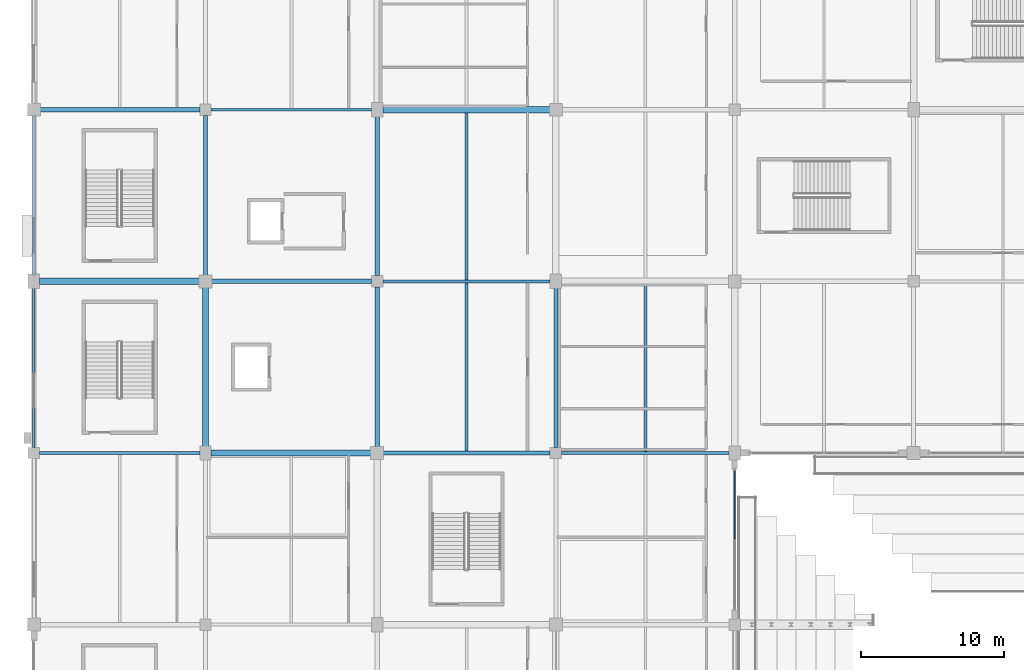
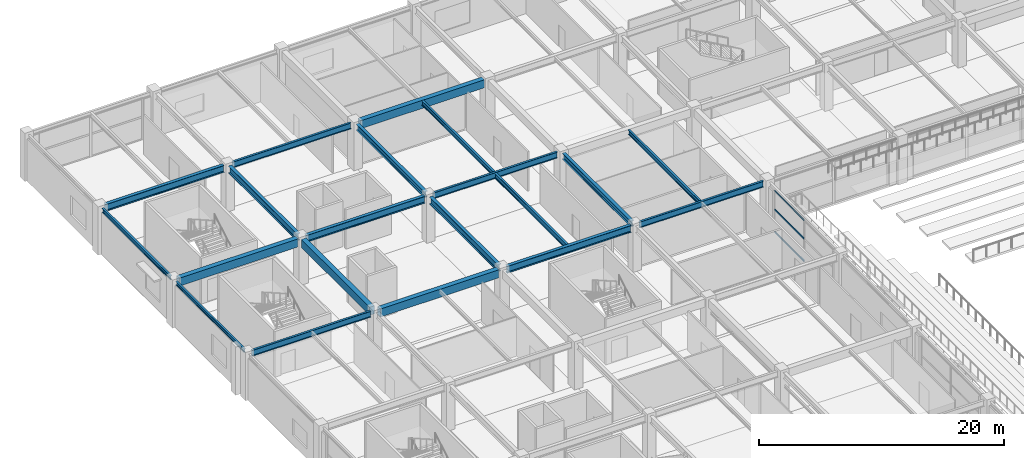
# One storey, part 51 of 134: 20 beams, 3 members, 1 element without a shape of its own.
"""IFC4 building model written with IfcOpenShell, lengths in metres."""

from ifc_helpers import new_model, si_unit, direction, frame, origin, origin_2d, place, context, subcontext, project, spatial, rectangle, i_section, extrude, material, layer, layer_set, material_profile, profile_set, type_object, element, aggregate, save


model = new_model("IFC4")

# Units and contexts
model_context = context("Model", 3, precision=1e-05, world=origin(), true_north=direction((0.0, 1.0)))
body_context = subcontext(model_context, "Body", "Model", "MODEL_VIEW")
ifc_project = project(units=[si_unit("LENGTHUNIT", "METRE"), si_unit("AREAUNIT", "SQUARE_METRE"), si_unit("VOLUMEUNIT", "CUBIC_METRE"), si_unit("PLANEANGLEUNIT", "RADIAN"), si_unit("MASSUNIT", "GRAM", prefix="KILO")], contexts=[model_context])

# Site, building, storey
site_placement = place(None, origin())
site = spatial("IfcSite", under=ifc_project, at=site_placement, CompositionType="ELEMENT")
building_placement = place(site_placement, origin())
building = spatial("IfcBuilding", under=site, at=building_placement, Name="Kazenohara Klinker Stadium", CompositionType="ELEMENT")
storey_placement = place(building_placement, frame((0.0, 0.0, 5.39990234375)))
storey = spatial("IfcBuildingStorey", under=building, at=storey_placement, Name="L01", CompositionType="ELEMENT", Elevation=5.39990234375)

# Beams
ifc_material_1 = material(Name="Steel S355", Category="steel")
ifc_material_profile_1 = material_profile(ifc_material_1, i_section(OverallWidth=0.199951171875, OverallDepth=0.5, WebThickness=0.010009765625, FlangeThickness=0.01611328125, FilletRadius=0.012939453125, at=origin_2d()), Name="H-500x200x10x16")
ifc_profile_set_1 = profile_set([ifc_material_profile_1], Name="Steel S355")
beam_type_1 = type_object("IfcBeamType", Name="BM-JST01", PredefinedType="JOIST", material=ifc_profile_set_1)
beam_1_placement = place(storey_placement, frame((30.25, 132.14990234375, 4.300048828125), z_axis=(0.0, 1.0, 0.0), x_axis=(-1.0, 0.0, 0.0)))
element("IfcBeam", 1, at=beam_1_placement, inside=storey, type_object=beam_type_1, Name="Secondary floor joist SJ01 L01 3/M", PredefinedType="JOIST", context=body_context, shape_type="SweptSolid", body=[
    extrude(i_section(OverallWidth=0.199951171875, OverallDepth=0.5, WebThickness=0.010009765625, FlangeThickness=0.01611328125, FilletRadius=0.012939453125, at=origin_2d()), origin(), (0.0, 0.0, 1.0), 11.75),
])
ifc_material_profile_2 = material_profile(ifc_material_1, i_section(OverallWidth=0.199951171875, OverallDepth=0.449951171875, WebThickness=0.009033203125, FlangeThickness=0.013916015625, FilletRadius=0.012939453125, at=origin_2d()), Name="H-450x200x9x14")
ifc_profile_set_2 = profile_set([ifc_material_profile_2], Name="Steel S355")
beam_type_2 = type_object("IfcBeamType", Name="BM-JST02", PredefinedType="JOIST", material=ifc_profile_set_2)
for number, where, z_axis, x_axis, name in (
    (2, (30.25, 144.10009765625, 4.3251953125), (0.0, 1.0, 0.0), (-1.0, 0.0, 0.0), "Secondary floor joist SJ02 L01 3/N"),
    (3, (42.75, 132.10009765625, 4.3251953125), (0.0, 1.0, 0.0), (-1.0, 0.0, 0.0), "Secondary floor joist SJ02 L01 4/M"),
):
    element("IfcBeam", number, at=place(storey_placement, frame(where, z_axis=z_axis, x_axis=x_axis)), inside=storey, type_object=beam_type_2, Name=name, PredefinedType="JOIST", context=body_context, shape_type="SweptSolid", body=[
        extrude(i_section(OverallWidth=0.199951171875, OverallDepth=0.449951171875, WebThickness=0.009033203125, FlangeThickness=0.013916015625, FilletRadius=0.012939453125, at=origin_2d()), origin(), (0.0, 0.0, 1.0), 11.6748046875),
    ])
ifc_material_2 = material(Name="Concrete C40/50", Category="concrete")
ifc_material_profile_3 = material_profile(ifc_material_2, rectangle(XDim=0.449951171875, YDim=0.800048828125, at=origin_2d()), Name="RC-BM-450x800")
ifc_profile_set_3 = profile_set([ifc_material_profile_3], Name="Concrete C40/50")
beam_type_3 = type_object("IfcBeamType", Name="BM-RC03", PredefinedType="BEAM", material=ifc_profile_set_3)
for number, where, z_axis, x_axis, name in (
    (4, (0.39990234375, 144.0, 4.150146484375), (1.0, 0.0, 0.0), (0.0, 1.0, 0.0), "Primary girder BG03 L01 1-2/N"),
    (5, (12.39990234375, 132.0, 4.150146484375), (1.0, 0.0, 0.0), (0.0, 1.0, 0.0), "Primary girder BG03 L01 2-3/M"),
):
    element("IfcBeam", number, at=place(storey_placement, frame(where, z_axis=z_axis, x_axis=x_axis)), inside=storey, type_object=beam_type_3, Name=name, PredefinedType="BEAM", context=body_context, shape_type="SweptSolid", body=[
        extrude(rectangle(XDim=0.449951171875, YDim=0.800048828125, at=origin_2d()), origin(), (0.0, 0.0, 1.0), 11.18017578125),
    ])
beam_2_placement = place(storey_placement, frame((24.39990234375, 156.0, 4.150146484375), z_axis=(1.0, 0.0, 0.0), x_axis=(0.0, 1.0, 0.0)))
element("IfcBeam", 6, at=beam_2_placement, inside=storey, type_object=beam_type_3, Name="Primary girder BG03 L01 3-4/P", PredefinedType="BEAM", context=body_context, shape_type="SweptSolid", body=[
    extrude(rectangle(XDim=0.449951171875, YDim=0.800048828125, at=origin_2d()), origin(), (0.0, 0.0, 1.0), 11.68017578125),
])
beam_3_placement = place(storey_placement, frame((12.0, 132.419921875, 4.150146484375), z_axis=(0.0, 1.0, 0.0), x_axis=(-1.0, 0.0, 0.0)))
element("IfcBeam", 7, at=beam_3_placement, inside=storey, type_object=beam_type_3, Name="Primary girder BG03 L01 2/M-N", PredefinedType="BEAM", context=body_context, shape_type="SweptSolid", body=[
    extrude(rectangle(XDim=0.449951171875, YDim=0.800048828125, at=origin_2d()), origin(), (0.0, 0.0, 1.0), 11.16015625),
])
ifc_material_profile_4 = material_profile(ifc_material_1, i_section(OverallWidth=0.199951171875, OverallDepth=0.39990234375, WebThickness=0.008056640625, FlangeThickness=0.012939453125, FilletRadius=0.012939453125, at=origin_2d()), Name="H-400x200x8x13")
ifc_profile_set_4 = profile_set([ifc_material_profile_4], Name="Steel S355")
beam_type_4 = type_object("IfcBeamType", Name="BM-SPD01", PredefinedType="SPANDREL", material=ifc_profile_set_4)
beam_4_placement = place(storey_placement, frame((0.0, 144.419921875, 4.35009765625), z_axis=(0.0, 1.0, 0.0), x_axis=(-1.0, 0.0, 0.0)))
element("IfcBeam", 8, at=beam_4_placement, inside=storey, type_object=beam_type_4, Name="Primary girder SP01 L01 1/N-P", PredefinedType="SPANDREL", context=body_context, shape_type="SweptSolid", body=[
    extrude(i_section(OverallWidth=0.199951171875, OverallDepth=0.39990234375, WebThickness=0.008056640625, FlangeThickness=0.012939453125, FilletRadius=0.012939453125, at=origin_2d()), origin(), (0.0, 0.0, 1.0), 11.16015625),
])
ifc_material_profile_5 = material_profile(ifc_material_1, i_section(OverallWidth=0.175048828125, OverallDepth=0.35009765625, WebThickness=0.007080078125, FlangeThickness=0.010986328125, FilletRadius=0.012939453125, at=origin_2d()), Name="H-350x175x7x11")
ifc_profile_set_5 = profile_set([ifc_material_profile_5], Name="Steel S355")
beam_type_5 = type_object("IfcBeamType", Name="BM-SPD02", PredefinedType="SPANDREL", material=ifc_profile_set_5)
beam_5_placement = place(storey_placement, frame((0.0, 132.39990234375, 4.375), z_axis=(0.0, 1.0, 0.0), x_axis=(-1.0, 0.0, 0.0)))
element("IfcBeam", 9, at=beam_5_placement, inside=storey, type_object=beam_type_5, Name="Primary girder SP02 L01 1/M-N", PredefinedType="SPANDREL", context=body_context, shape_type="SweptSolid", body=[
    extrude(i_section(OverallWidth=0.175048828125, OverallDepth=0.35009765625, WebThickness=0.007080078125, FlangeThickness=0.010986328125, FilletRadius=0.012939453125, at=origin_2d()), origin(), (0.0, 0.0, 1.0), 11.18017578125),
])
ifc_material_profile_6 = material_profile(ifc_material_1, i_section(OverallWidth=0.300048828125, OverallDepth=0.699951171875, WebThickness=0.012939453125, FlangeThickness=0.02392578125, FilletRadius=0.02197265625, at=origin_2d()), Name="H-700x300x13x24")
ifc_profile_set_6 = profile_set([ifc_material_profile_6], Name="Steel S355")
beam_type_6 = type_object("IfcBeamType", Name="BM-ST03", PredefinedType="BEAM", material=ifc_profile_set_6)
for number, where, z_axis, x_axis, name in (
    (10, (0.419921875, 156.0, 4.2001953125), (1.0, 0.0, 0.0), (0.0, 1.0, 0.0), "Primary girder SB03 L01 1-2/P"),
    (11, (12.419921875, 144.0, 4.2001953125), (1.0, 0.0, 0.0), (0.0, 1.0, 0.0), "Primary girder SB03 L01 2-3/N"),
):
    element("IfcBeam", number, at=place(storey_placement, frame(where, z_axis=z_axis, x_axis=x_axis)), inside=storey, type_object=beam_type_6, Name=name, PredefinedType="BEAM", context=body_context, shape_type="SweptSolid", body=[
        extrude(i_section(OverallWidth=0.300048828125, OverallDepth=0.699951171875, WebThickness=0.012939453125, FlangeThickness=0.02392578125, FilletRadius=0.02197265625, at=origin_2d()), origin(), (0.0, 0.0, 1.0), 11.18017578125),
    ])
beam_6_placement = place(storey_placement, frame((24.419921875, 132.0, 4.2001953125), z_axis=(1.0, 0.0, 0.0), x_axis=(0.0, 1.0, 0.0)))
element("IfcBeam", 12, at=beam_6_placement, inside=storey, type_object=beam_type_6, Name="Primary girder SB03 L01 3-4/M", PredefinedType="BEAM", context=body_context, shape_type="SweptSolid", body=[
    extrude(i_section(OverallWidth=0.300048828125, OverallDepth=0.699951171875, WebThickness=0.012939453125, FlangeThickness=0.02392578125, FilletRadius=0.02197265625, at=origin_2d()), origin(), (0.0, 0.0, 1.0), 11.68017578125),
])
for number, where, z_axis, x_axis, name in (
    (13, (12.0, 144.419921875, 4.2001953125), (0.0, 1.0, 0.0), (-1.0, 0.0, 0.0), "Primary girder SB03 L01 2/N-P"),
    (14, (24.0, 132.419921875, 4.2001953125), (0.0, 1.0, 0.0), (-1.0, 0.0, 0.0), "Primary girder SB03 L01 3/M-N"),
):
    element("IfcBeam", number, at=place(storey_placement, frame(where, z_axis=z_axis, x_axis=x_axis)), inside=storey, type_object=beam_type_6, Name=name, PredefinedType="BEAM", context=body_context, shape_type="SweptSolid", body=[
        extrude(i_section(OverallWidth=0.300048828125, OverallDepth=0.699951171875, WebThickness=0.012939453125, FlangeThickness=0.02392578125, FilletRadius=0.02197265625, at=origin_2d()), origin(), (0.0, 0.0, 1.0), 11.18017578125),
    ])
ifc_material_profile_7 = material_profile(ifc_material_1, i_section(OverallWidth=0.199951171875, OverallDepth=0.60009765625, WebThickness=0.010986328125, FlangeThickness=0.01708984375, FilletRadius=0.012939453125, at=origin_2d()), Name="H-600x200x11x17")
ifc_profile_set_7 = profile_set([ifc_material_profile_7], Name="Steel S355")
beam_type_7 = type_object("IfcBeamType", Name="BM-ST04", PredefinedType="BEAM", material=ifc_profile_set_7)
for number, where, z_axis, x_axis, name in (
    (15, (0.39990234375, 132.0, 4.25), (1.0, 0.0, 0.0), (0.0, 1.0, 0.0), "Primary girder SB04 L01 1-2/M"),
    (16, (12.39990234375, 156.0, 4.25), (1.0, 0.0, 0.0), (0.0, 1.0, 0.0), "Primary girder SB04 L01 2-3/P"),
):
    element("IfcBeam", number, at=place(storey_placement, frame(where, z_axis=z_axis, x_axis=x_axis)), inside=storey, type_object=beam_type_7, Name=name, PredefinedType="BEAM", context=body_context, shape_type="SweptSolid", body=[
        extrude(i_section(OverallWidth=0.199951171875, OverallDepth=0.60009765625, WebThickness=0.010986328125, FlangeThickness=0.01708984375, FilletRadius=0.012939453125, at=origin_2d()), origin(), (0.0, 0.0, 1.0), 11.2001953125),
    ])
for number, where, z_axis, x_axis, name in (
    (17, (24.39990234375, 144.0, 4.25), (1.0, 0.0, 0.0), (0.0, 1.0, 0.0), "Primary girder SB04 L01 3-4/N"),
    (18, (36.89990234375, 132.0, 4.25), (1.0, 0.0, 0.0), (0.0, 1.0, 0.0), "Primary girder SB04 L01 4-5/M"),
):
    element("IfcBeam", number, at=place(storey_placement, frame(where, z_axis=z_axis, x_axis=x_axis)), inside=storey, type_object=beam_type_7, Name=name, PredefinedType="BEAM", context=body_context, shape_type="SweptSolid", body=[
        extrude(i_section(OverallWidth=0.199951171875, OverallDepth=0.60009765625, WebThickness=0.010986328125, FlangeThickness=0.01708984375, FilletRadius=0.012939453125, at=origin_2d()), origin(), (0.0, 0.0, 1.0), 11.7001953125),
    ])
ifc_material_profile_8 = material_profile(ifc_material_1, i_section(OverallWidth=0.300048828125, OverallDepth=0.587890625, WebThickness=0.011962890625, FlangeThickness=0.02001953125, FilletRadius=0.02197265625, at=origin_2d()), Name="H-588x300x12x20")
ifc_profile_set_8 = profile_set([ifc_material_profile_8], Name="Steel S355")
beam_type_8 = type_object("IfcBeamType", Name="BM-ST05", PredefinedType="BEAM", material=ifc_profile_set_8)
for number, where, z_axis, x_axis, name in (
    (19, (24.0, 144.39990234375, 4.256103515625), (0.0, 1.0, 0.0), (-1.0, 0.0, 0.0), "Primary girder SB05 L01 3/N-P"),
    (20, (36.5, 132.39990234375, 4.256103515625), (0.0, 1.0, 0.0), (-1.0, 0.0, 0.0), "Primary girder SB05 L01 4/M-N"),
):
    element("IfcBeam", number, at=place(storey_placement, frame(where, z_axis=z_axis, x_axis=x_axis)), inside=storey, type_object=beam_type_8, Name=name, PredefinedType="BEAM", context=body_context, shape_type="SweptSolid", body=[
        extrude(i_section(OverallWidth=0.300048828125, OverallDepth=0.587890625, WebThickness=0.011962890625, FlangeThickness=0.02001953125, FilletRadius=0.02197265625, at=origin_2d()), origin(), (0.0, 0.0, 1.0), 11.18017578125),
    ])

# Curtain wall, members
ifc_material_3 = material(Name="Anodised aluminium and triple glazing", Category="aluminium")
ifc_layer = layer(ifc_material_3, 0.179931640625)
ifc_layer_set = layer_set([ifc_layer], Name="Anodised aluminium and triple glazing")
curtain_wall_type = type_object("IfcCurtainWallType", Name="CW-SYS-02", PredefinedType="USERDEFINED", material=ifc_layer_set)
curtain_wall_placement = place(storey_placement, origin())
curtain_wall = element("IfcCurtainWall", 21, at=curtain_wall_placement, inside=storey, type_object=curtain_wall_type, Name="Unitised facade curtain wall CW02 L01 Y4-10", ObjectType="UNITISED CURTAIN WALL", PredefinedType="USERDEFINED")
ifc_material_4 = material(Name="Anodised aluminium 6063-T6", Category="aluminium")
ifc_material_profile_9 = material_profile(ifc_material_4, rectangle(XDim=0.074951171875, YDim=0.159912109375, at=origin_2d()), Name="ALU-TRN-75x160")
ifc_profile_set_9 = profile_set([ifc_material_profile_9], Name="Anodised aluminium 6063-T6")
member_type = type_object("IfcMemberType", Name="CW-TRN-160", PredefinedType="USERDEFINED", material=ifc_profile_set_9)
member_1_placement = place(storey_placement, frame((49.0, 125.987548828125, 0.03759765625), z_axis=(0.0, 1.0, 0.0), x_axis=(-1.0, 0.0, 0.0)))
member_1 = element("IfcMember", 22, at=member_1_placement, type_object=member_type, Name="CW02 transom 2.1", ObjectType="TRANSOM", PredefinedType="USERDEFINED", context=body_context, shape_type="SweptSolid", body=[
    extrude(rectangle(XDim=0.074951171875, YDim=0.159912109375, at=origin_2d()), origin(), (0.0, 0.0, 1.0), 4.783447265625),
])
member_2_placement = place(storey_placement, frame((49.0, 125.987548828125, 2.28271484375), z_axis=(0.0, 1.0, 0.0), x_axis=(-1.0, 0.0, 0.0)))
member_2 = element("IfcMember", 23, at=member_2_placement, type_object=member_type, Name="CW02 transom 2.2", ObjectType="TRANSOM", PredefinedType="USERDEFINED", context=body_context, shape_type="SweptSolid", body=[
    extrude(rectangle(XDim=0.074951171875, YDim=0.159912109375, at=origin_2d()), origin(), (0.0, 0.0, 1.0), 4.783447265625),
])
member_3_placement = place(storey_placement, frame((49.0, 125.987548828125, 4.112548828125), z_axis=(0.0, 1.0, 0.0), x_axis=(-1.0, 0.0, 0.0)))
member_3 = element("IfcMember", 24, at=member_3_placement, type_object=member_type, Name="CW02 transom 2.3", ObjectType="TRANSOM", PredefinedType="USERDEFINED", context=body_context, shape_type="SweptSolid", body=[
    extrude(rectangle(XDim=0.074951171875, YDim=0.159912109375, at=origin_2d()), origin(), (0.0, 0.0, 1.0), 4.783447265625),
])
aggregate(curtain_wall, [member_1, member_2, member_3])

save(model, "model.ifc")
